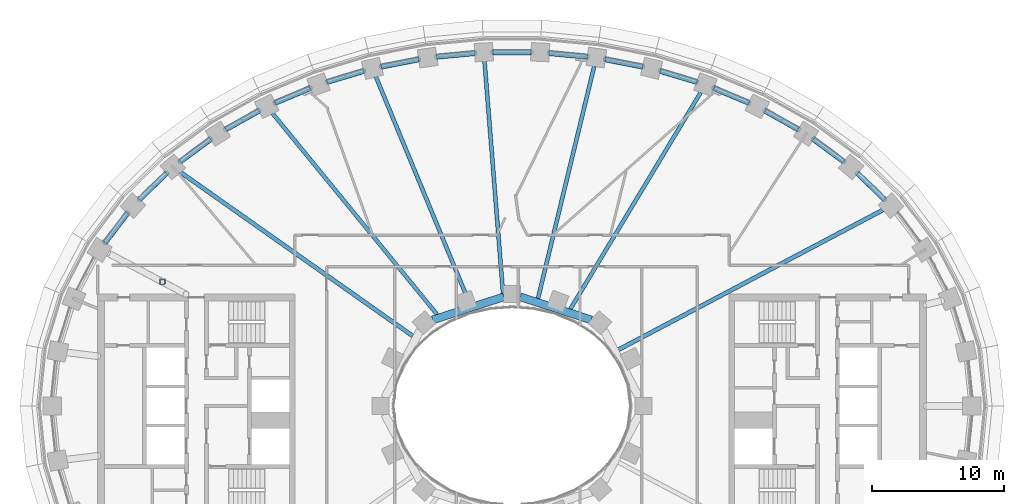
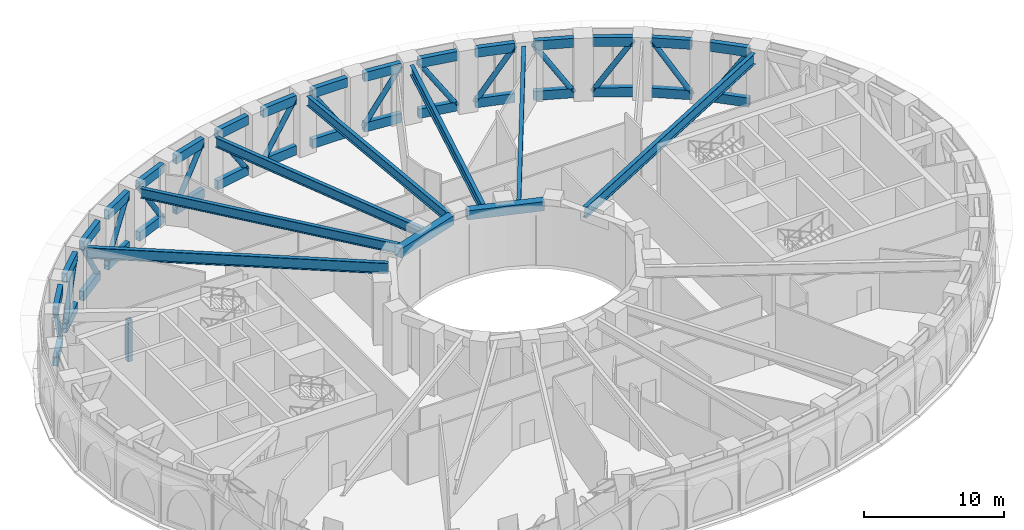
# One storey, part 4 of 25: 41 beams, 17 members.
"""IFC4 building model written with IfcOpenShell, lengths in metres."""

import ifcopenshell
import ifcopenshell.guid

model = None  # the IFC model being written
_history = None  # IfcOwnerHistory: only IFC2X3 demands one
_inside = {}  # id of a spatial element -> (the spatial element, [elements in it])
_under = {}  # id of a project, library or spatial element -> (it, [spatial elements below it])
_declared = {}  # id of a project -> (the project, [libraries it declares])
_typed = {}  # id of a type object -> (the type object, [elements of that type])
_made_of = {}  # id of a material, layer set ... -> (it, [elements and type objects made of it])


def new_model(schema):
    """Start an empty IFC model of exactly this schema.

    Asked for "IFC4X3", IfcOpenShell would pick the latest addendum, in which some entities
    have other attributes; the version numbers below select the first issue.
    IFC2X3 requires an IfcOwnerHistory on every rooted entity: one is made here for all.
    """
    global model, _history
    if schema == "IFC4X3":
        model = ifcopenshell.file(schema_version=(4, 3, 0, 0))
    else:
        model = ifcopenshell.file(schema=schema)
    _inside.clear()
    _under.clear()
    _declared.clear()
    _typed.clear()
    _made_of.clear()
    _history = None
    if model.schema == "IFC2X3":
        org = make("IfcOrganization", Name="unknown")
        user = make(
            "IfcPersonAndOrganization",
            ThePerson=make("IfcPerson", FamilyName="unknown"),
            TheOrganization=org,
        )
        app = make(
            "IfcApplication",
            ApplicationDeveloper=org,
            Version="unknown",
            ApplicationFullName="unknown",
            ApplicationIdentifier="unknown",
        )
        _history = make(
            "IfcOwnerHistory",
            OwningUser=user,
            OwningApplication=app,
            ChangeAction="ADDED",
            CreationDate=0,
        )
    return model


def make(cls, **values):
    """One entity of the class cls with the attributes given. An attribute that is None is left unset."""
    return model.create_entity(
        cls, **{name: value for name, value in values.items() if value is not None}
    )


def rooted(cls, **values):
    """An entity with a GlobalId (a new one), such as an element, a storey or a relation."""
    return make(cls, GlobalId=ifcopenshell.guid.new(), OwnerHistory=_history, **values)


def si_unit(unit_type, name, prefix=None):
    """IfcSIUnit, for example si_unit("LENGTHUNIT", "METRE", prefix="MILLI")."""
    return make("IfcSIUnit", UnitType=unit_type, Prefix=prefix, Name=name)


def assignment(units):
    """IfcUnitAssignment: the units of a project."""
    return None if units is None else make("IfcUnitAssignment", Units=units)


def point(xyz):
    """IfcCartesianPoint."""
    return None if xyz is None else make("IfcCartesianPoint", Coordinates=xyz)


def direction(xyz):
    """IfcDirection."""
    return None if xyz is None else make("IfcDirection", DirectionRatios=xyz)


def frame(location, z_axis=None, x_axis=None):
    """IfcAxis2Placement3D, a coordinate frame: its origin and axes. An axis left out is left unset."""
    return make(
        "IfcAxis2Placement3D",
        Location=point(location),
        Axis=direction(z_axis),
        RefDirection=direction(x_axis),
    )


def frame_2d(location, x_axis=None):
    """IfcAxis2Placement2D, a coordinate frame in the plane: its origin and x axis."""
    return make(
        "IfcAxis2Placement2D", Location=point(location), RefDirection=direction(x_axis)
    )


def origin():
    """The frame at (0, 0, 0) with its axes left unset."""
    return frame((0.0, 0.0, 0.0))


def origin_2d():
    """The frame at (0, 0) in the plane with its x axis left unset."""
    return frame_2d((0.0, 0.0))


def place(relative_to, where):
    """IfcLocalPlacement: puts the frame where relative to a parent placement (None: the world)."""
    return make(
        "IfcLocalPlacement", PlacementRelTo=relative_to, RelativePlacement=where
    )


def context(
    kind, dimensions, precision=None, world=None, true_north=None, identifier=None
):
    """IfcGeometricRepresentationContext, for example the 3D "Model" context."""
    return make(
        "IfcGeometricRepresentationContext",
        ContextIdentifier=identifier,
        ContextType=kind,
        CoordinateSpaceDimension=dimensions,
        Precision=precision,
        WorldCoordinateSystem=world,
        TrueNorth=true_north,
    )


def subcontext(parent, identifier, kind, view, scale=None):
    """IfcGeometricRepresentationSubContext, for example "Body" below "Model"."""
    return make(
        "IfcGeometricRepresentationSubContext",
        ContextIdentifier=identifier,
        ContextType=kind,
        ParentContext=parent,
        TargetScale=scale,
        TargetView=view,
    )


def project(units=None, contexts=None):
    """IfcProject with its units and contexts."""
    return rooted(
        "IfcProject",
        Name="project",
        RepresentationContexts=contexts,
        UnitsInContext=assignment(units),
    )


def spatial(cls, under=None, at=None, **own):
    """A site, building, storey or space (cls), placed at a placement, below another one or the project."""
    s = rooted(cls, ObjectPlacement=at, **own)
    if under is not None:
        _under.setdefault(under.id(), (under, []))[1].append(s)
    return s


def profile(cls, at=None, kind="AREA", **sizes):
    """A parametric profile (cls). Its sizes go by their IFC names, for example OverallWidth=200.0."""
    return make(cls, ProfileType=kind, Position=at, **sizes)


def rectangle(**sizes):
    """IfcRectangleProfileDef."""
    return profile("IfcRectangleProfileDef", **sizes)


def hollow_rectangle(**sizes):
    """IfcRectangleHollowProfileDef."""
    return profile("IfcRectangleHollowProfileDef", **sizes)


def hollow_circle(**sizes):
    """IfcCircleHollowProfileDef."""
    return profile("IfcCircleHollowProfileDef", **sizes)


def i_section(**sizes):
    """IfcIShapeProfileDef."""
    return profile("IfcIShapeProfileDef", **sizes)


def extrude(swept, where, along, depth):
    """IfcExtrudedAreaSolid: the profile swept, set in the frame where, extruded along a direction by depth."""
    return make(
        "IfcExtrudedAreaSolid",
        SweptArea=swept,
        Position=where,
        ExtrudedDirection=direction(along),
        Depth=depth,
    )


def shape(context_of_items, identifier, shape_type, items):
    """IfcShapeRepresentation: the items that make up one representation, for example the "Body"."""
    return make(
        "IfcShapeRepresentation",
        ContextOfItems=context_of_items,
        RepresentationIdentifier=identifier,
        RepresentationType=shape_type,
        Items=items,
    )


def material(Name=None, Category=None):
    """IfcMaterial."""
    return make("IfcMaterial", Name=Name, Category=Category)


def material_profile(
    of_material, cross_section, Name=None, Category=None, Priority=None
):
    """IfcMaterialProfile: a cross section and its material."""
    return make(
        "IfcMaterialProfile",
        Name=Name,
        Material=of_material,
        Profile=cross_section,
        Priority=Priority,
        Category=Category,
    )


def profile_set(profiles, Name=None, composite=None):
    """IfcMaterialProfileSet."""
    return make(
        "IfcMaterialProfileSet",
        Name=Name,
        MaterialProfiles=profiles,
        CompositeProfile=composite,
    )


def made_of(thing, what):
    """Note that an element or type object is made of a material, layer set ...; save() writes the relation."""
    if what is not None:
        _made_of.setdefault(what.id(), (what, []))[1].append(thing)
    return thing


def type_object(cls, material=None, **own):
    """A type object (cls), such as IfcWallType, which elements share."""
    return made_of(rooted(cls, **own), material)


def element(
    cls,
    number,
    at=None,
    inside=None,
    cuts=None,
    type_object=None,
    material=None,
    context=None,
    identifier="Body",
    shape_type=None,
    held_by="IfcProductDefinitionShape",
    body=None,
    shapes=None,
    **own,
):
    """One element of the class cls, such as IfcWall. Its Tag is "e" and its number.

    at: its placement. inside: the storey or other place that contains it. cuts: it is an
    opening in that element (IfcRelVoidsElement). A single representation is given by context,
    identifier, shape_type and body (its items); several are given by shapes. held_by: the class
    of the entity that holds the representations. save() writes the other relations.
    """
    e = rooted(cls, Tag="e%d" % number, ObjectPlacement=at, **own)
    if body is not None:
        shapes = [shape(context, identifier, shape_type, body)]
    if shapes is not None:
        e.Representation = make(held_by, Representations=shapes)
    if inside is not None:
        _inside.setdefault(inside.id(), (inside, []))[1].append(e)
    if cuts is not None:
        rooted(
            "IfcRelVoidsElement", RelatingBuildingElement=cuts, RelatedOpeningElement=e
        )
    if type_object is not None:
        _typed.setdefault(type_object.id(), (type_object, []))[1].append(e)
    return made_of(e, material)


def aggregate(whole, parts):
    """IfcRelAggregates: a whole, such as a stair, and the parts it consists of."""
    return rooted("IfcRelAggregates", RelatingObject=whole, RelatedObjects=parts)


def save(model, path):
    """Write the relations noted so far, then the file.

    IfcRelAggregates (storeys below a building ...), IfcRelContainedInSpatialStructure (elements
    in a storey), IfcRelDefinesByType, IfcRelAssociatesMaterial and IfcRelDeclares: one each for
    every whole, place, type object, material and project.
    """
    for whole, parts in _under.values():
        aggregate(whole, parts)
    for where, things in _inside.values():
        rooted(
            "IfcRelContainedInSpatialStructure",
            RelatedElements=things,
            RelatingStructure=where,
        )
    for kind, things in _typed.values():
        rooted("IfcRelDefinesByType", RelatedObjects=things, RelatingType=kind)
    for what, things in _made_of.values():
        rooted("IfcRelAssociatesMaterial", RelatedObjects=things, RelatingMaterial=what)
    for by, libraries in _declared.values():
        rooted("IfcRelDeclares", RelatingContext=by, RelatedDefinitions=libraries)
    model.write(path)


model = new_model("IFC4")

# Units and contexts
model_context = context("Model", 3, precision=1e-05, world=origin(), true_north=direction((0.0, 1.0)))
body_context = subcontext(model_context, "Body", "Model", "MODEL_VIEW")
ifc_project = project(units=[si_unit("LENGTHUNIT", "METRE"), si_unit("AREAUNIT", "SQUARE_METRE"), si_unit("VOLUMEUNIT", "CUBIC_METRE"), si_unit("PLANEANGLEUNIT", "RADIAN"), si_unit("MASSUNIT", "GRAM", prefix="KILO")], contexts=[model_context])

# Site, building, storey
site_placement = place(None, origin())
site = spatial("IfcSite", under=ifc_project, at=site_placement, CompositionType="ELEMENT")
building_placement = place(site_placement, origin())
building = spatial("IfcBuilding", under=site, at=building_placement, Name="Noorbagh Ring Tower", CompositionType="ELEMENT")
storey_placement = place(building_placement, frame((0.0, 0.0, 82.5)))
storey = spatial("IfcBuildingStorey", under=building, at=storey_placement, Name="L18", CompositionType="ELEMENT", Elevation=82.5)

# Beams
ifc_material_1 = material(Name="Steel S460", Category="steel")
ifc_material_profile_1 = material_profile(ifc_material_1, hollow_rectangle(XDim=0.39990234375, YDim=0.800048828125, WallThickness=0.031982421875, at=origin_2d()), Name="BOX800x400x32")
ifc_profile_set_1 = profile_set([ifc_material_profile_1], Name="Steel S460")
beam_type_1 = type_object("IfcBeamType", Name="STR-BELT-TRUSS-CHORD-BOX800x400x32-S460", PredefinedType="BEAM", material=ifc_profile_set_1)
for number, where, z_axis, x_axis, name in (
    (1, (28.32958984375, 15.705810546875, 0.39990234375), (-0.71720161488, 0.69686572854, 0.0), (-0.69686572854, -0.71720161488, 0.0), "Belt truss chord"),
    (2, (28.32958984375, 15.705810546875, 4.800048828125), (-0.71720161488, 0.69686572854, 0.0), (-0.69686572854, -0.71720161488, 0.0), "Belt truss chord"),
):
    element("IfcBeam", number, at=place(storey_placement, frame(where, z_axis=z_axis, x_axis=x_axis)), inside=storey, type_object=beam_type_1, Name=name, PredefinedType="BEAM", context=body_context, shape_type="SweptSolid", body=[
        extrude(hollow_rectangle(XDim=0.39990234375, YDim=0.800048828125, WallThickness=0.031982421875, at=origin_2d()), origin(), (0.0, 0.0, 1.0), 2.869384765625),
    ])
for number, where, z_axis, x_axis, name in (
    (3, (25.23388671875, 18.58447265625, 0.39990234375), (-0.805128135374, 0.593100906785, 0.0), (-0.593100906785, -0.805128135374, 0.0), "Belt truss chord"),
    (4, (25.23388671875, 18.58447265625, 4.800048828125), (-0.805128135374, 0.593100906785, 0.0), (-0.593100906785, -0.805128135374, 0.0), "Belt truss chord"),
):
    element("IfcBeam", number, at=place(storey_placement, frame(where, z_axis=z_axis, x_axis=x_axis)), inside=storey, type_object=beam_type_1, Name=name, PredefinedType="BEAM", context=body_context, shape_type="SweptSolid", body=[
        extrude(hollow_rectangle(XDim=0.39990234375, YDim=0.800048828125, WallThickness=0.031982421875, at=origin_2d()), origin(), (0.0, 0.0, 1.0), 2.885498046875),
    ])
for number, where, z_axis, x_axis, name in (
    (5, (21.767822265625, 21.033447265625, 0.39990234375), (-0.872027306064, 0.489457227426, 0.0), (-0.489457227426, -0.872027306064, 0.0), "Belt truss chord"),
    (6, (21.767822265625, 21.033447265625, 4.800048828125), (-0.872027306064, 0.489457227426, 0.0), (-0.489457227426, -0.872027306064, 0.0), "Belt truss chord"),
):
    element("IfcBeam", number, at=place(storey_placement, frame(where, z_axis=z_axis, x_axis=x_axis)), inside=storey, type_object=beam_type_1, Name=name, PredefinedType="BEAM", context=body_context, shape_type="SweptSolid", body=[
        extrude(hollow_rectangle(XDim=0.39990234375, YDim=0.800048828125, WallThickness=0.031982421875, at=origin_2d()), origin(), (0.0, 0.0, 1.0), 2.8984375),
    ])
for number, where, z_axis, x_axis, name in (
    (7, (18.018310546875, 23.04931640625, 0.39990234375), (-0.921785403555, 0.387700489803, 0.0), (-0.387700489803, -0.921785403555, 0.0), "Belt truss chord"),
    (8, (18.018310546875, 23.04931640625, 4.800048828125), (-0.921785403555, 0.387700489803, 0.0), (-0.387700489803, -0.921785403555, 0.0), "Belt truss chord"),
):
    element("IfcBeam", number, at=place(storey_placement, frame(where, z_axis=z_axis, x_axis=x_axis)), inside=storey, type_object=beam_type_1, Name=name, PredefinedType="BEAM", context=body_context, shape_type="SweptSolid", body=[
        extrude(hollow_rectangle(XDim=0.39990234375, YDim=0.800048828125, WallThickness=0.031982421875, at=origin_2d()), origin(), (0.0, 0.0, 1.0), 2.90869140625),
    ])
for number, where, z_axis, x_axis, name in (
    (9, (14.057373046875, 24.63720703125, 0.39990234375), (-0.95759784357, 0.288108260884, 0.0), (-0.288108260884, -0.95759784357, 0.0), "Belt truss chord"),
    (10, (14.057373046875, 24.63720703125, 4.800048828125), (-0.95759784357, 0.288108260884, 0.0), (-0.288108260884, -0.95759784357, 0.0), "Belt truss chord"),
):
    element("IfcBeam", number, at=place(storey_placement, frame(where, z_axis=z_axis, x_axis=x_axis)), inside=storey, type_object=beam_type_1, Name=name, PredefinedType="BEAM", context=body_context, shape_type="SweptSolid", body=[
        extrude(hollow_rectangle(XDim=0.39990234375, YDim=0.800048828125, WallThickness=0.031982421875, at=origin_2d()), origin(), (0.0, 0.0, 1.0), 2.915771484375),
    ])
for number, where, z_axis, x_axis, name in (
    (11, (9.94482421875, 25.803466796875, 0.39990234375), (-0.981624088963, 0.190824914433, 0.0), (-0.190824914433, -0.981624088963, 0.0), "Belt truss chord"),
    (12, (9.94482421875, 25.803466796875, 4.800048828125), (-0.981624088963, 0.190824914433, 0.0), (-0.190824914433, -0.981624088963, 0.0), "Belt truss chord"),
):
    element("IfcBeam", number, at=place(storey_placement, frame(where, z_axis=z_axis, x_axis=x_axis)), inside=storey, type_object=beam_type_1, Name=name, PredefinedType="BEAM", context=body_context, shape_type="SweptSolid", body=[
        extrude(hollow_rectangle(XDim=0.39990234375, YDim=0.800048828125, WallThickness=0.031982421875, at=origin_2d()), origin(), (0.0, 0.0, 1.0), 2.9208984375),
    ])
for number, where, z_axis, x_axis, name in (
    (13, (5.7314453125, 26.555419921875, 0.39990234375), (-0.995475184925, 0.095021872206, 0.0), (-0.095021872206, -0.995475184925, 0.0), "Belt truss chord"),
    (14, (5.7314453125, 26.555419921875, 4.800048828125), (-0.995475184925, 0.095021872206, 0.0), (-0.095021872206, -0.995475184925, 0.0), "Belt truss chord"),
):
    element("IfcBeam", number, at=place(storey_placement, frame(where, z_axis=z_axis, x_axis=x_axis)), inside=storey, type_object=beam_type_1, Name=name, PredefinedType="BEAM", context=body_context, shape_type="SweptSolid", body=[
        extrude(hollow_rectangle(XDim=0.39990234375, YDim=0.800048828125, WallThickness=0.031982421875, at=origin_2d()), origin(), (0.0, 0.0, 1.0), 2.923828125),
    ])
for number, where, z_axis, x_axis, name in (
    (15, (1.46240234375, 26.89794921875, 0.39990234375), (-1.0, 0.0, 0.0), (0.0, -1.0, 0.0), "Belt truss chord"),
    (16, (1.46240234375, 26.89794921875, 4.800048828125), (-1.0, 0.0, 0.0), (0.0, -1.0, 0.0), "Belt truss chord"),
):
    element("IfcBeam", number, at=place(storey_placement, frame(where, z_axis=z_axis, x_axis=x_axis)), inside=storey, type_object=beam_type_1, Name=name, PredefinedType="BEAM", context=body_context, shape_type="SweptSolid", body=[
        extrude(hollow_rectangle(XDim=0.39990234375, YDim=0.800048828125, WallThickness=0.031982421875, at=origin_2d()), origin(), (0.0, 0.0, 1.0), 2.9248046875),
    ])
for number, where, z_axis, x_axis, name in (
    (17, (-2.82080078125, 26.833251953125, 0.39990234375), (-0.995475184925, -0.095021872206, 0.0), (0.095021872206, -0.995475184925, 0.0), "Belt truss chord"),
    (18, (-2.82080078125, 26.833251953125, 4.800048828125), (-0.995475184925, -0.095021872206, 0.0), (0.095021872206, -0.995475184925, 0.0), "Belt truss chord"),
):
    element("IfcBeam", number, at=place(storey_placement, frame(where, z_axis=z_axis, x_axis=x_axis)), inside=storey, type_object=beam_type_1, Name=name, PredefinedType="BEAM", context=body_context, shape_type="SweptSolid", body=[
        extrude(hollow_rectangle(XDim=0.39990234375, YDim=0.800048828125, WallThickness=0.031982421875, at=origin_2d()), origin(), (0.0, 0.0, 1.0), 2.923828125),
    ])
for number, where, z_axis, x_axis, name in (
    (19, (-7.07763671875, 26.36083984375, 0.39990234375), (-0.981624088963, -0.190824914433, 0.0), (0.190824914433, -0.981624088963, 0.0), "Belt truss chord"),
    (20, (-7.07763671875, 26.36083984375, 4.800048828125), (-0.981624088963, -0.190824914433, 0.0), (0.190824914433, -0.981624088963, 0.0), "Belt truss chord"),
):
    element("IfcBeam", number, at=place(storey_placement, frame(where, z_axis=z_axis, x_axis=x_axis)), inside=storey, type_object=beam_type_1, Name=name, PredefinedType="BEAM", context=body_context, shape_type="SweptSolid", body=[
        extrude(hollow_rectangle(XDim=0.39990234375, YDim=0.800048828125, WallThickness=0.031982421875, at=origin_2d()), origin(), (0.0, 0.0, 1.0), 2.9208984375),
    ])
for number, where, z_axis, x_axis, name in (
    (21, (-11.26513671875, 25.477294921875, 0.39990234375), (-0.95759784357, -0.288108260884, 0.0), (0.288108260884, -0.95759784357, 0.0), "Belt truss chord"),
    (22, (-11.26513671875, 25.477294921875, 4.800048828125), (-0.95759784357, -0.288108260884, 0.0), (0.288108260884, -0.95759784357, 0.0), "Belt truss chord"),
):
    element("IfcBeam", number, at=place(storey_placement, frame(where, z_axis=z_axis, x_axis=x_axis)), inside=storey, type_object=beam_type_1, Name=name, PredefinedType="BEAM", context=body_context, shape_type="SweptSolid", body=[
        extrude(hollow_rectangle(XDim=0.39990234375, YDim=0.800048828125, WallThickness=0.031982421875, at=origin_2d()), origin(), (0.0, 0.0, 1.0), 2.915771484375),
    ])
for number, where, z_axis, x_axis, name in (
    (23, (-15.337158203125, 24.177001953125, 0.39990234375), (-0.921785403555, -0.387700489803, 0.0), (0.387700489803, -0.921785403555, 0.0), "Belt truss chord"),
    (24, (-15.337158203125, 24.177001953125, 4.800048828125), (-0.921785403555, -0.387700489803, 0.0), (0.387700489803, -0.921785403555, 0.0), "Belt truss chord"),
):
    element("IfcBeam", number, at=place(storey_placement, frame(where, z_axis=z_axis, x_axis=x_axis)), inside=storey, type_object=beam_type_1, Name=name, PredefinedType="BEAM", context=body_context, shape_type="SweptSolid", body=[
        extrude(hollow_rectangle(XDim=0.39990234375, YDim=0.800048828125, WallThickness=0.031982421875, at=origin_2d()), origin(), (0.0, 0.0, 1.0), 2.90869140625),
    ])
for number, where, z_axis, x_axis, name in (
    (25, (-19.240234375, 22.4521484375, 0.39990234375), (-0.872027306064, -0.489457227426, 0.0), (0.489457227426, -0.872027306064, 0.0), "Belt truss chord"),
    (26, (-19.240234375, 22.4521484375, 4.800048828125), (-0.872027306064, -0.489457227426, 0.0), (0.489457227426, -0.872027306064, 0.0), "Belt truss chord"),
):
    element("IfcBeam", number, at=place(storey_placement, frame(where, z_axis=z_axis, x_axis=x_axis)), inside=storey, type_object=beam_type_1, Name=name, PredefinedType="BEAM", context=body_context, shape_type="SweptSolid", body=[
        extrude(hollow_rectangle(XDim=0.39990234375, YDim=0.800048828125, WallThickness=0.031982421875, at=origin_2d()), origin(), (0.0, 0.0, 1.0), 2.8984375),
    ])
for number, where, z_axis, x_axis, name in (
    (27, (-22.91064453125, 20.2958984375, 0.39990234375), (-0.805128135374, -0.593100906785, 0.0), (0.593100906785, -0.805128135374, 0.0), "Belt truss chord"),
    (28, (-22.91064453125, 20.2958984375, 4.800048828125), (-0.805128135374, -0.593100906785, 0.0), (0.593100906785, -0.805128135374, 0.0), "Belt truss chord"),
):
    element("IfcBeam", number, at=place(storey_placement, frame(where, z_axis=z_axis, x_axis=x_axis)), inside=storey, type_object=beam_type_1, Name=name, PredefinedType="BEAM", context=body_context, shape_type="SweptSolid", body=[
        extrude(hollow_rectangle(XDim=0.39990234375, YDim=0.800048828125, WallThickness=0.031982421875, at=origin_2d()), origin(), (0.0, 0.0, 1.0), 2.885498046875),
    ])
for number, where, z_axis, x_axis, name in (
    (29, (-26.271728515625, 17.705322265625, 0.39990234375), (-0.71720161488, -0.69686572854, 0.0), (0.69686572854, -0.71720161488, 0.0), "Belt truss chord"),
    (30, (-26.271728515625, 17.705322265625, 4.800048828125), (-0.71720161488, -0.69686572854, 0.0), (0.69686572854, -0.71720161488, 0.0), "Belt truss chord"),
):
    element("IfcBeam", number, at=place(storey_placement, frame(where, z_axis=z_axis, x_axis=x_axis)), inside=storey, type_object=beam_type_1, Name=name, PredefinedType="BEAM", context=body_context, shape_type="SweptSolid", body=[
        extrude(hollow_rectangle(XDim=0.39990234375, YDim=0.800048828125, WallThickness=0.031982421875, at=origin_2d()), origin(), (0.0, 0.0, 1.0), 2.869384765625),
    ])
for number, where, z_axis, x_axis, name in (
    (31, (-29.230712890625, 14.68701171875, 0.39990234375), (-0.604034079018, -0.796958487868, 0.0), (0.796958487868, -0.604034079018, 0.0), "Belt truss chord"),
    (32, (-29.230712890625, 14.68701171875, 4.800048828125), (-0.604034079018, -0.796958487868, 0.0), (0.796958487868, -0.604034079018, 0.0), "Belt truss chord"),
):
    element("IfcBeam", number, at=place(storey_placement, frame(where, z_axis=z_axis, x_axis=x_axis)), inside=storey, type_object=beam_type_1, Name=name, PredefinedType="BEAM", context=body_context, shape_type="SweptSolid", body=[
        extrude(hollow_rectangle(XDim=0.39990234375, YDim=0.800048828125, WallThickness=0.031982421875, at=origin_2d()), origin(), (0.0, 0.0, 1.0), 2.85107421875),
    ])

# Members
ifc_material_2 = material(Name="Steel S355", Category="steel")
ifc_material_profile_2 = material_profile(ifc_material_2, hollow_circle(Radius=0.203125, WallThickness=0.01611328125, at=origin_2d()), Name="CHS406.4x16")
ifc_profile_set_2 = profile_set([ifc_material_profile_2], Name="Steel S355")
member_type_1 = type_object("IfcMemberType", Name="STR-BELT-TRUSS-DIAGONAL-CHS406.4x16", PredefinedType="BRACE", material=ifc_profile_set_2)
member_1_placement = place(storey_placement, frame((26.271728515625, 17.705322265625, 0.39990234375), z_axis=(0.391748874364, -0.380641034647, 0.837642657807), x_axis=(0.69686572854, 0.71720161488, 0.0)))
element("IfcMember", 33, at=member_1_placement, inside=storey, type_object=member_type_1, Name="Belt truss diagonal", PredefinedType="BRACE", context=body_context, shape_type="SweptSolid", body=[
    extrude(hollow_circle(Radius=0.203125, WallThickness=0.01611328125, at=origin_2d()), origin(), (0.0, 0.0, 1.0), 5.2529296875),
])
member_2_placement = place(storey_placement, frame((25.23388671875, 18.58447265625, 0.39990234375), z_axis=(-0.441520503226, 0.325247869652, 0.836225728209), x_axis=(-0.593100906785, -0.805128135374, 0.0)))
element("IfcMember", 34, at=member_2_placement, inside=storey, type_object=member_type_1, Name="Belt truss diagonal", PredefinedType="BRACE", context=body_context, shape_type="SweptSolid", body=[
    extrude(hollow_circle(Radius=0.203125, WallThickness=0.01611328125, at=origin_2d()), origin(), (0.0, 0.0, 1.0), 5.261962890625),
])
member_3_placement = place(storey_placement, frame((19.240234375, 22.4521484375, 0.39990234375), z_axis=(0.479706270357, -0.269252693619, 0.835095731733), x_axis=(0.489457227426, 0.872027306064, 0.0)))
element("IfcMember", 35, at=member_3_placement, inside=storey, type_object=member_type_1, Name="Belt truss diagonal", PredefinedType="BRACE", context=body_context, shape_type="SweptSolid", body=[
    extrude(hollow_circle(Radius=0.203125, WallThickness=0.01611328125, at=origin_2d()), origin(), (0.0, 0.0, 1.0), 5.26904296875),
])
member_4_placement = place(storey_placement, frame((18.018310546875, 23.04931640625, 0.39990234375), z_axis=(-0.508312623929, 0.213794938074, 0.834212203704), x_axis=(-0.387700489803, -0.921785403555, 0.0)))
element("IfcMember", 36, at=member_4_placement, inside=storey, type_object=member_type_1, Name="Belt truss diagonal", PredefinedType="BRACE", context=body_context, shape_type="SweptSolid", body=[
    extrude(hollow_circle(Radius=0.203125, WallThickness=0.01611328125, at=origin_2d()), origin(), (0.0, 0.0, 1.0), 5.274658203125),
])
member_5_placement = place(storey_placement, frame((11.26513671875, 25.477294921875, 0.39990234375), z_axis=(0.528972872137, -0.159149746701, 0.833582064747), x_axis=(0.288108260884, 0.95759784357, 0.0)))
element("IfcMember", 37, at=member_5_placement, inside=storey, type_object=member_type_1, Name="Belt truss diagonal", PredefinedType="BRACE", context=body_context, shape_type="SweptSolid", body=[
    extrude(hollow_circle(Radius=0.203125, WallThickness=0.01611328125, at=origin_2d()), origin(), (0.0, 0.0, 1.0), 5.278564453125),
])
member_6_placement = place(storey_placement, frame((9.94482421875, 25.803466796875, 0.39990234375), z_axis=(-0.542888543508, 0.105535979635, 0.833147157668), x_axis=(-0.190824914433, -0.981624088963, 0.0)))
element("IfcMember", 38, at=member_6_placement, inside=storey, type_object=member_type_1, Name="Belt truss diagonal", PredefinedType="BRACE", context=body_context, shape_type="SweptSolid", body=[
    extrude(hollow_circle(Radius=0.203125, WallThickness=0.01611328125, at=origin_2d()), origin(), (0.0, 0.0, 1.0), 5.28125),
])
member_7_placement = place(storey_placement, frame((2.82080078125, 26.833251953125, 0.39990234375), z_axis=(0.550943005218, -0.052589594023, 0.832884229411), x_axis=(0.095021872206, 0.995475184925, 0.0)))
element("IfcMember", 39, at=member_7_placement, inside=storey, type_object=member_type_1, Name="Belt truss diagonal", PredefinedType="BRACE", context=body_context, shape_type="SweptSolid", body=[
    extrude(hollow_circle(Radius=0.203125, WallThickness=0.01611328125, at=origin_2d()), origin(), (0.0, 0.0, 1.0), 5.282958984375),
])
member_8_placement = place(storey_placement, frame((1.46240234375, 26.89794921875, 0.39990234375), z_axis=(-0.553569370666, 0.0, 0.832803069075), x_axis=(0.0, -1.0, 0.0)))
element("IfcMember", 40, at=member_8_placement, inside=storey, type_object=member_type_1, Name="Belt truss diagonal", PredefinedType="BRACE", context=body_context, shape_type="SweptSolid", body=[
    extrude(hollow_circle(Radius=0.203125, WallThickness=0.01611328125, at=origin_2d()), origin(), (0.0, 0.0, 1.0), 5.283447265625),
])
member_9_placement = place(storey_placement, frame((-5.7314453125, 26.555419921875, 0.39990234375), z_axis=(0.550943005218, 0.052589594023, 0.832884229411), x_axis=(-0.095021872206, 0.995475184925, 0.0)))
element("IfcMember", 41, at=member_9_placement, inside=storey, type_object=member_type_1, Name="Belt truss diagonal", PredefinedType="BRACE", context=body_context, shape_type="SweptSolid", body=[
    extrude(hollow_circle(Radius=0.203125, WallThickness=0.01611328125, at=origin_2d()), origin(), (0.0, 0.0, 1.0), 5.282958984375),
])
member_10_placement = place(storey_placement, frame((-7.07763671875, 26.36083984375, 0.39990234375), z_axis=(-0.542888543508, -0.105535979635, 0.833147157668), x_axis=(0.190824914433, -0.981624088963, 0.0)))
element("IfcMember", 42, at=member_10_placement, inside=storey, type_object=member_type_1, Name="Belt truss diagonal", PredefinedType="BRACE", context=body_context, shape_type="SweptSolid", body=[
    extrude(hollow_circle(Radius=0.203125, WallThickness=0.01611328125, at=origin_2d()), origin(), (0.0, 0.0, 1.0), 5.28125),
])
member_11_placement = place(storey_placement, frame((-14.057373046875, 24.63720703125, 0.39990234375), z_axis=(0.528972872137, 0.159149746701, 0.833582064747), x_axis=(-0.288108260884, 0.95759784357, 0.0)))
element("IfcMember", 43, at=member_11_placement, inside=storey, type_object=member_type_1, Name="Belt truss diagonal", PredefinedType="BRACE", context=body_context, shape_type="SweptSolid", body=[
    extrude(hollow_circle(Radius=0.203125, WallThickness=0.01611328125, at=origin_2d()), origin(), (0.0, 0.0, 1.0), 5.278564453125),
])
member_12_placement = place(storey_placement, frame((-15.337158203125, 24.177001953125, 0.39990234375), z_axis=(-0.508312623929, -0.213794938074, 0.834212203704), x_axis=(0.387700489803, -0.921785403555, 0.0)))
element("IfcMember", 44, at=member_12_placement, inside=storey, type_object=member_type_1, Name="Belt truss diagonal", PredefinedType="BRACE", context=body_context, shape_type="SweptSolid", body=[
    extrude(hollow_circle(Radius=0.203125, WallThickness=0.01611328125, at=origin_2d()), origin(), (0.0, 0.0, 1.0), 5.274658203125),
])
member_13_placement = place(storey_placement, frame((-21.767822265625, 21.033447265625, 0.39990234375), z_axis=(0.479706270357, 0.269252693619, 0.835095731733), x_axis=(-0.489457227426, 0.872027306064, 0.0)))
element("IfcMember", 45, at=member_13_placement, inside=storey, type_object=member_type_1, Name="Belt truss diagonal", PredefinedType="BRACE", context=body_context, shape_type="SweptSolid", body=[
    extrude(hollow_circle(Radius=0.203125, WallThickness=0.01611328125, at=origin_2d()), origin(), (0.0, 0.0, 1.0), 5.26904296875),
])
member_14_placement = place(storey_placement, frame((-22.91064453125, 20.2958984375, 0.39990234375), z_axis=(-0.441520503226, -0.325247869652, 0.836225728209), x_axis=(0.593100906785, -0.805128135374, 0.0)))
element("IfcMember", 46, at=member_14_placement, inside=storey, type_object=member_type_1, Name="Belt truss diagonal", PredefinedType="BRACE", context=body_context, shape_type="SweptSolid", body=[
    extrude(hollow_circle(Radius=0.203125, WallThickness=0.01611328125, at=origin_2d()), origin(), (0.0, 0.0, 1.0), 5.261962890625),
])
member_15_placement = place(storey_placement, frame((-28.32958984375, 15.705810546875, 0.39990234375), z_axis=(0.391748874364, 0.380641034647, 0.837642657807), x_axis=(-0.69686572854, 0.71720161488, 0.0)))
element("IfcMember", 47, at=member_15_placement, inside=storey, type_object=member_type_1, Name="Belt truss diagonal", PredefinedType="BRACE", context=body_context, shape_type="SweptSolid", body=[
    extrude(hollow_circle(Radius=0.203125, WallThickness=0.01611328125, at=origin_2d()), origin(), (0.0, 0.0, 1.0), 5.2529296875),
])
member_16_placement = place(storey_placement, frame((-29.230712890625, 14.68701171875, 0.39990234375), z_axis=(-0.328463550828, -0.433372592508, 0.83922576929), x_axis=(0.796958487868, -0.604034079018, 0.0)))
element("IfcMember", 48, at=member_16_placement, inside=storey, type_object=member_type_1, Name="Belt truss diagonal", PredefinedType="BRACE", context=body_context, shape_type="SweptSolid", body=[
    extrude(hollow_circle(Radius=0.203125, WallThickness=0.01611328125, at=origin_2d()), origin(), (0.0, 0.0, 1.0), 5.2431640625),
])
ifc_material_3 = material(Name="Steel S355", Category="steel")
ifc_material_profile_3 = material_profile(ifc_material_3, hollow_rectangle(XDim=0.39990234375, YDim=0.39990234375, WallThickness=0.02490234375, InnerFilletRadius=0.02490234375, OuterFilletRadius=0.0625, at=origin_2d()), Name="SHS400x400x25")
ifc_profile_set_3 = profile_set([ifc_material_profile_3], Name="Steel S355")
member_type_2 = type_object("IfcMemberType", Name="STR-OUTRIGGER-TRUSS-POST-SHS400x400x25", PredefinedType="POST", material=ifc_profile_set_3)
member_17_placement = place(storey_placement, frame((-26.577392578125, 9.43798828125, 0.800048828125), z_axis=(0.0, 0.0, 1.0), x_axis=(1.0, 0.0, 0.0)))
element("IfcMember", 49, at=member_17_placement, inside=storey, type_object=member_type_2, Name="Outrigger truss post", PredefinedType="POST", context=body_context, shape_type="SweptSolid", body=[
    extrude(hollow_rectangle(XDim=0.39990234375, YDim=0.39990234375, WallThickness=0.02490234375, InnerFilletRadius=0.02490234375, OuterFilletRadius=0.0625, at=origin_2d()), origin(), (0.0, 0.0, 1.0), 3.599853515625),
])

# Beams
ifc_material_4 = material(Name="Steel S355", Category="steel")
ifc_material_profile_4 = material_profile(ifc_material_4, i_section(OverallWidth=0.300048828125, OverallDepth=0.85009765625, WebThickness=0.013916015625, FlangeThickness=0.028076171875, at=origin_2d()), Name="PG850x300x14x28")
ifc_profile_set_4 = profile_set([ifc_material_profile_4], Name="Steel S355")
beam_type_2 = type_object("IfcBeamType", Name="STR-RAD-PG850x300x14x28", PredefinedType="BEAM", material=ifc_profile_set_4)
beam_1_placement = place(storey_placement, frame((14.351806640625, 23.846435546875, 4.77490234375), z_axis=(-0.51565770939, -0.856794681792, 0.0), x_axis=(0.856794681792, -0.51565770939, 0.0)))
element("IfcBeam", 50, at=beam_1_placement, inside=storey, type_object=beam_type_2, Name="L18/bm/RD09", PredefinedType="BEAM", context=body_context, shape_type="SweptSolid", body=[
    extrude(i_section(OverallWidth=0.300048828125, OverallDepth=0.85009765625, WebThickness=0.013916015625, FlangeThickness=0.028076171875, at=origin_2d()), origin(), (0.0, 0.0, 1.0), 19.2421875),
])
beam_2_placement = place(storey_placement, frame((6.24853515625, 25.826904296875, 4.77490234375), z_axis=(-0.23515684107, -0.97195743739, 0.0), x_axis=(0.97195743739, -0.23515684107, 0.0)))
element("IfcBeam", 51, at=beam_2_placement, inside=storey, type_object=beam_type_2, Name="L18/bm/RD11", PredefinedType="BEAM", context=body_context, shape_type="SweptSolid", body=[
    extrude(i_section(OverallWidth=0.300048828125, OverallDepth=0.85009765625, WebThickness=0.013916015625, FlangeThickness=0.028076171875, at=origin_2d()), origin(), (0.0, 0.0, 1.0), 18.179931640625),
])
beam_3_placement = place(storey_placement, frame((-2.089111328125, 26.2197265625, 4.77490234375), z_axis=(0.079423302335, -0.996840979819, 0.0), x_axis=(0.996840979819, 0.079423302335, 0.0)))
element("IfcBeam", 52, at=beam_3_placement, inside=storey, type_object=beam_type_2, Name="L18/bm/RD13", PredefinedType="BEAM", context=body_context, shape_type="SweptSolid", body=[
    extrude(i_section(OverallWidth=0.300048828125, OverallDepth=0.85009765625, WebThickness=0.013916015625, FlangeThickness=0.028076171875, at=origin_2d()), origin(), (0.0, 0.0, 1.0), 17.874755859375),
])
beam_4_placement = place(storey_placement, frame((-10.350341796875, 25.037841796875, 4.77490234375), z_axis=(0.382029268338, -0.924150224873, 0.0), x_axis=(0.924150224873, 0.382029268338, 0.0)))
element("IfcBeam", 53, at=beam_4_placement, inside=storey, type_object=beam_type_2, Name="L18/bm/RD15", PredefinedType="BEAM", context=body_context, shape_type="SweptSolid", body=[
    extrude(i_section(OverallWidth=0.300048828125, OverallDepth=0.85009765625, WebThickness=0.013916015625, FlangeThickness=0.028076171875, at=origin_2d()), origin(), (0.0, 0.0, 1.0), 18.69970703125),
])
beam_5_placement = place(storey_placement, frame((-18.20361328125, 22.244384765625, 4.77490234375), z_axis=(0.633309777349, -0.773898395084, 0.0), x_axis=(0.773898395084, 0.633309777349, 0.0)))
element("IfcBeam", 54, at=beam_5_placement, inside=storey, type_object=beam_type_2, Name="L18/bm/RD17", PredefinedType="BEAM", context=body_context, shape_type="SweptSolid", body=[
    extrude(i_section(OverallWidth=0.300048828125, OverallDepth=0.85009765625, WebThickness=0.013916015625, FlangeThickness=0.028076171875, at=origin_2d()), origin(), (0.0, 0.0, 1.0), 19.76025390625),
])
ifc_material_5 = material(Name="Steel S355", Category="steel")
ifc_material_profile_5 = material_profile(ifc_material_5, i_section(OverallWidth=0.320068359375, OverallDepth=0.949951171875, WebThickness=0.01611328125, FlangeThickness=0.030029296875, at=origin_2d()), Name="PG950x320x16x30")
ifc_profile_set_5 = profile_set([ifc_material_profile_5], Name="Steel S355")
beam_type_3 = type_object("IfcBeamType", Name="STR-RAD-PG950x320x16x30", PredefinedType="BEAM", material=ifc_profile_set_5)
beam_6_placement = place(storey_placement, frame((28.19970703125, 14.9033203125, 4.72509765625), z_axis=(-0.884120965314, -0.467258085742, 0.0), x_axis=(0.467258085742, -0.884120965314, 0.0)))
element("IfcBeam", 55, at=beam_6_placement, inside=storey, type_object=beam_type_3, Name="L18/bm/RD05", PredefinedType="BEAM", context=body_context, shape_type="SweptSolid", body=[
    extrude(i_section(OverallWidth=0.320068359375, OverallDepth=0.949951171875, WebThickness=0.01611328125, FlangeThickness=0.030029296875, at=origin_2d()), origin(), (0.0, 0.0, 1.0), 22.754638671875),
])
beam_7_placement = place(storey_placement, frame((-25.2080078125, 17.775146484375, 4.72509765625), z_axis=(0.817254043875, -0.576277561398, 0.0), x_axis=(0.576277561398, 0.817254043875, 0.0)))
element("IfcBeam", 56, at=beam_7_placement, inside=storey, type_object=beam_type_3, Name="L18/bm/RD19", PredefinedType="BEAM", context=body_context, shape_type="SweptSolid", body=[
    extrude(i_section(OverallWidth=0.320068359375, OverallDepth=0.949951171875, WebThickness=0.01611328125, FlangeThickness=0.030029296875, at=origin_2d()), origin(), (0.0, 0.0, 1.0), 21.625244140625),
])
ifc_material_6 = material(Name="Concrete C40/50", Category="concrete")
ifc_material_profile_6 = material_profile(ifc_material_6, rectangle(XDim=0.60009765625, YDim=0.800048828125, at=origin_2d()), Name="RC600x800")
ifc_profile_set_6 = profile_set([ifc_material_profile_6], Name="Concrete C40/50")
beam_type_4 = type_object("IfcBeamType", Name="STR-RB-RC600x800-C40-50", PredefinedType="BEAM", material=ifc_profile_set_6)
for number, where, z_axis, x_axis, name in (
    (57, (6.02783203125, 6.546142578125, 4.800048828125), (-0.95114088461, 0.308757214691, 0.0), (-0.308757214691, -0.95114088461, 0.0), "L18/bm/RG03"),
    (58, (-0.630859375, 8.298095703125, 4.800048828125), (-0.95114088461, -0.308757214691, 0.0), (0.308757214691, -0.95114088461, 0.0), "L18/bm/RG05"),
):
    element("IfcBeam", number, at=place(storey_placement, frame(where, z_axis=z_axis, x_axis=x_axis)), inside=storey, type_object=beam_type_4, Name=name, PredefinedType="BEAM", context=body_context, shape_type="SweptSolid", body=[
        extrude(rectangle(XDim=0.60009765625, YDim=0.800048828125, at=origin_2d()), origin(), (0.0, 0.0, 1.0), 5.67431640625),
    ])

save(model, "model.ifc")
